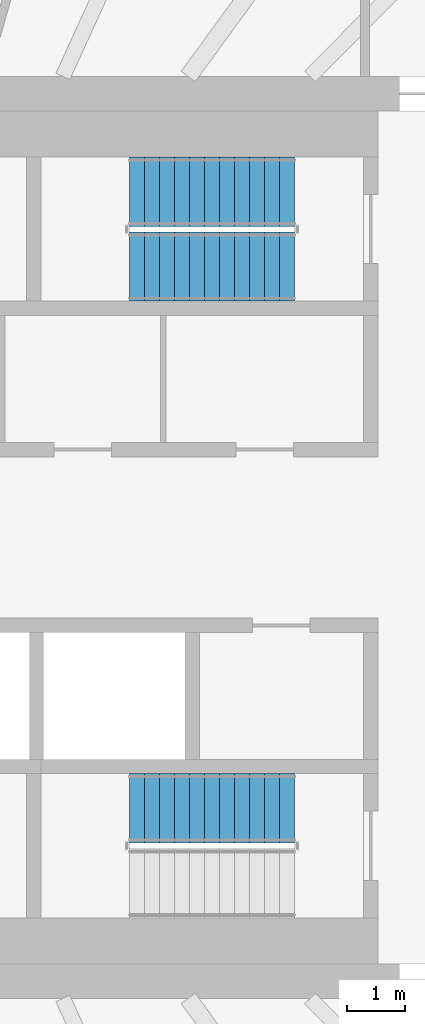
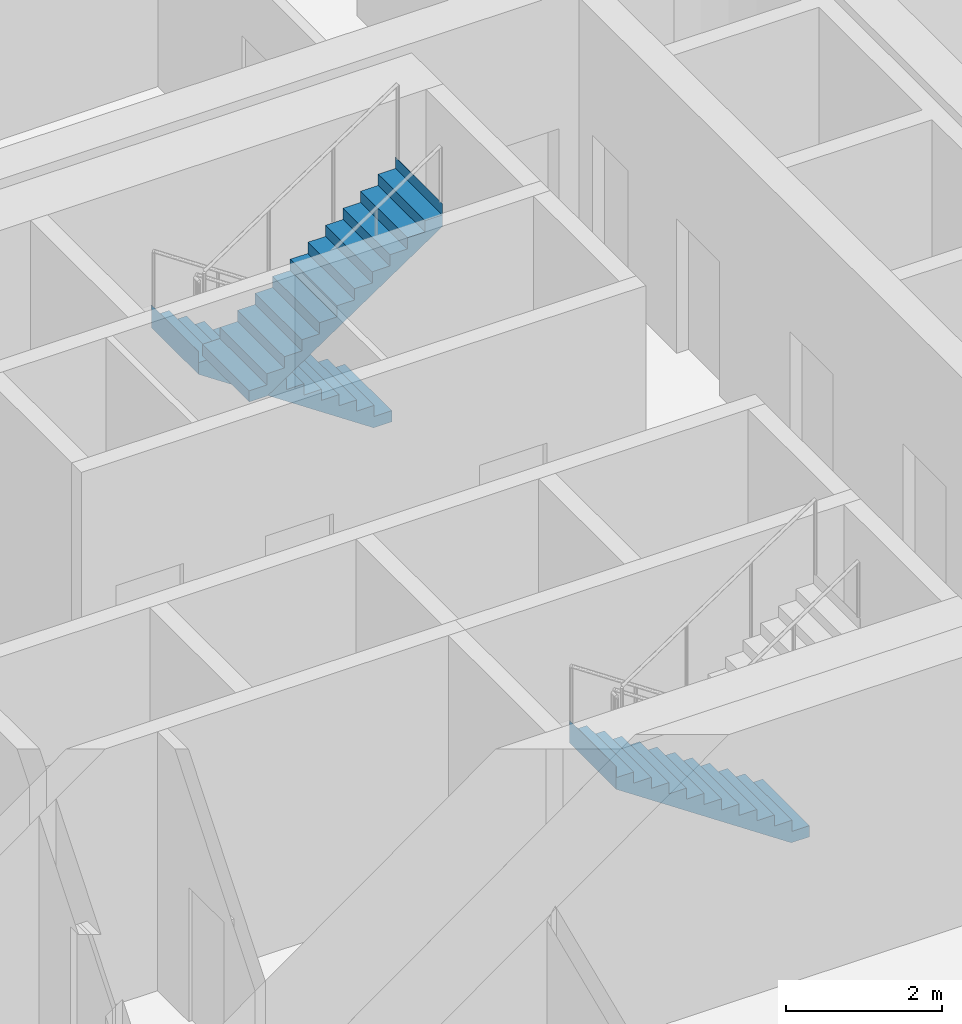
# One storey, part 17 of 23: 3 stair flights, 2 elements without a shape of their own.
"""IFC4 building model written with IfcOpenShell, lengths in metres."""

from ifc_helpers import new_model, si_unit, direction, frame, origin, place, context, subcontext, project, spatial, triangles, material, type_object, element, aggregate, save


model = new_model("IFC4")

# Units and contexts
model_context = context("Model", 3, precision=1e-05, world=origin(), true_north=direction((0.0, 1.0)))
body_context = subcontext(model_context, "Body", "Model", "MODEL_VIEW")
ifc_project = project(units=[si_unit("LENGTHUNIT", "METRE"), si_unit("AREAUNIT", "SQUARE_METRE"), si_unit("VOLUMEUNIT", "CUBIC_METRE"), si_unit("PLANEANGLEUNIT", "RADIAN"), si_unit("MASSUNIT", "GRAM", prefix="KILO")], contexts=[model_context])

# Site, building, storey
site_placement = place(None, origin())
site = spatial("IfcSite", under=ifc_project, at=site_placement, CompositionType="ELEMENT")
building_placement = place(site_placement, origin())
building = spatial("IfcBuilding", under=site, at=building_placement, Name="Sahrelin Media Tower", CompositionType="ELEMENT")
storey_placement = place(building_placement, frame((0.0, 0.0, 54.60009765625)))
storey = spatial("IfcBuildingStorey", under=building, at=storey_placement, Name="L08", CompositionType="ELEMENT", Elevation=54.60009765625)

# Stair, stair flights
ifc_material = material(Name="Concrete C40/50", Category="concrete")
stair_type = type_object("IfcStairType", Name="Exit stair 1200", PredefinedType="HALF_TURN_STAIR", material=ifc_material)
placement = place(storey_placement, origin())
stair_1 = element("IfcStair", 1, at=placement, inside=storey, type_object=stair_type, Name="L08 Exit stair ST3", PredefinedType="HALF_TURN_STAIR")
stair_flight_type = type_object("IfcStairFlightType", Name="Stair flight 1200", PredefinedType="STRAIGHT", material=ifc_material)
stair_flight_1_placement = place(storey_placement, frame((7.675048828125, 6.0, 0.0), z_axis=(0.0, 0.0, 1.0), x_axis=(-1.0, 0.0, 0.0)))
stair_flight_1 = element("IfcStairFlight", 2, at=stair_flight_1_placement, type_object=stair_flight_type, Name="ST3 flight 1", NumberOfRisers=12, NumberOfTreads=11, PredefinedType="STRAIGHT", RiserHeight=0.175, TreadLength=0.26, context=body_context, shape_type="Tessellation", body=[
    triangles([(0.2685546875, 0.60009765625, 0.0), (0.2685546875, 0.300048828125, 0.0), (0.2685546875, 0.0, 0.0), (0.2685546875, -0.300048828125, 0.0), (0.2685546875, -0.60009765625, 0.0), (2.860107421875, 0.60009765625, 1.744384765625), (2.860107421875, 0.300048828125, 1.744384765625), (2.860107421875, 0.0, 1.744384765625), (2.860107421875, -0.300048828125, 1.744384765625), (2.860107421875, -0.60009765625, 1.744384765625), (2.860107421875, 0.60009765625, 2.10009765625), (2.860107421875, 0.300048828125, 2.10009765625), (2.860107421875, 0.0, 2.10009765625), (2.860107421875, -0.300048828125, 2.10009765625), (2.860107421875, -0.60009765625, 2.10009765625), (2.85791015625, 0.60009765625, 2.10009765625), (2.85791015625, 0.300048828125, 2.10009765625), (2.85791015625, 0.0, 2.10009765625), (2.85791015625, -0.300048828125, 2.10009765625), (2.85791015625, -0.60009765625, 2.10009765625), (2.85791015625, 0.60009765625, 1.925048828125), (2.85791015625, 0.300048828125, 1.925048828125), (2.85791015625, 0.0, 1.925048828125), (2.85791015625, -0.300048828125, 1.925048828125), (2.85791015625, -0.60009765625, 1.925048828125), (2.60009765625, 0.60009765625, 1.925048828125), (2.60009765625, 0.300048828125, 1.925048828125), (2.60009765625, 0.0, 1.925048828125), (2.60009765625, -0.300048828125, 1.925048828125), (2.60009765625, -0.60009765625, 1.925048828125), (2.60009765625, 0.60009765625, 1.75), (2.60009765625, 0.300048828125, 1.75), (2.60009765625, 0.0, 1.75), (2.60009765625, -0.300048828125, 1.75), (2.60009765625, -0.60009765625, 1.75), (2.340087890625, 0.60009765625, 1.75), (2.340087890625, 0.300048828125, 1.75), (2.340087890625, 0.0, 1.75), (2.340087890625, -0.300048828125, 1.75), (2.340087890625, -0.60009765625, 1.75), (2.340087890625, 0.60009765625, 1.574951171875), (2.340087890625, 0.300048828125, 1.574951171875), (2.340087890625, 0.0, 1.574951171875), (2.340087890625, -0.300048828125, 1.574951171875), (2.340087890625, -0.60009765625, 1.574951171875), (2.080078125, 0.60009765625, 1.574951171875), (2.080078125, 0.300048828125, 1.574951171875), (2.080078125, 0.0, 1.574951171875), (2.080078125, -0.300048828125, 1.574951171875), (2.080078125, -0.60009765625, 1.574951171875), (2.080078125, 0.60009765625, 1.39990234375), (2.080078125, 0.300048828125, 1.39990234375), (2.080078125, 0.0, 1.39990234375), (2.080078125, -0.300048828125, 1.39990234375), (2.080078125, -0.60009765625, 1.39990234375), (1.820068359375, 0.60009765625, 1.39990234375), (1.820068359375, 0.300048828125, 1.39990234375), (1.820068359375, 0.0, 1.39990234375), (1.820068359375, -0.300048828125, 1.39990234375), (1.820068359375, -0.60009765625, 1.39990234375), (1.820068359375, 0.60009765625, 1.22509765625), (1.820068359375, 0.300048828125, 1.22509765625), (1.820068359375, 0.0, 1.22509765625), (1.820068359375, -0.300048828125, 1.22509765625), (1.820068359375, -0.60009765625, 1.22509765625), (1.56005859375, 0.60009765625, 1.22509765625), (1.56005859375, 0.300048828125, 1.22509765625), (1.56005859375, 0.0, 1.22509765625), (1.56005859375, -0.300048828125, 1.22509765625), (1.56005859375, -0.60009765625, 1.22509765625), (1.56005859375, 0.60009765625, 1.050048828125), (1.56005859375, 0.300048828125, 1.050048828125), (1.56005859375, 0.0, 1.050048828125), (1.56005859375, -0.300048828125, 1.050048828125), (1.56005859375, -0.60009765625, 1.050048828125), (1.300048828125, 0.60009765625, 1.050048828125), (1.300048828125, 0.300048828125, 1.050048828125), (1.300048828125, 0.0, 1.050048828125), (1.300048828125, -0.300048828125, 1.050048828125), (1.300048828125, -0.60009765625, 1.050048828125), (1.300048828125, 0.60009765625, 0.875), (1.300048828125, 0.300048828125, 0.875), (1.300048828125, 0.0, 0.875), (1.300048828125, -0.300048828125, 0.875), (1.300048828125, -0.60009765625, 0.875), (1.0400390625, 0.60009765625, 0.875), (1.0400390625, 0.300048828125, 0.875), (1.0400390625, 0.0, 0.875), (1.0400390625, -0.300048828125, 0.875), (1.0400390625, -0.60009765625, 0.875), (1.0400390625, 0.60009765625, 0.699951171875), (1.0400390625, 0.300048828125, 0.699951171875), (1.0400390625, 0.0, 0.699951171875), (1.0400390625, -0.300048828125, 0.699951171875), (1.0400390625, -0.60009765625, 0.699951171875), (0.780029296875, 0.60009765625, 0.699951171875), (0.780029296875, 0.300048828125, 0.699951171875), (0.780029296875, 0.0, 0.699951171875), (0.780029296875, -0.300048828125, 0.699951171875), (0.780029296875, -0.60009765625, 0.699951171875), (0.780029296875, 0.60009765625, 0.52490234375), (0.780029296875, 0.300048828125, 0.52490234375), (0.780029296875, 0.0, 0.52490234375), (0.780029296875, -0.300048828125, 0.52490234375), (0.780029296875, -0.60009765625, 0.52490234375), (0.52001953125, 0.60009765625, 0.52490234375), (0.52001953125, 0.300048828125, 0.52490234375), (0.52001953125, 0.0, 0.52490234375), (0.52001953125, -0.300048828125, 0.52490234375), (0.52001953125, -0.60009765625, 0.52490234375), (0.52001953125, 0.60009765625, 0.35009765625), (0.52001953125, 0.300048828125, 0.35009765625), (0.52001953125, 0.0, 0.35009765625), (0.52001953125, -0.300048828125, 0.35009765625), (0.52001953125, -0.60009765625, 0.35009765625), (0.260009765625, 0.60009765625, 0.35009765625), (0.260009765625, 0.300048828125, 0.35009765625), (0.260009765625, 0.0, 0.35009765625), (0.260009765625, -0.300048828125, 0.35009765625), (0.260009765625, -0.60009765625, 0.35009765625), (0.260009765625, 0.60009765625, 0.175048828125), (0.260009765625, 0.300048828125, 0.175048828125), (0.260009765625, 0.0, 0.175048828125), (0.260009765625, -0.300048828125, 0.175048828125), (0.260009765625, -0.60009765625, 0.175048828125), (0.0, 0.60009765625, 0.175048828125), (0.0, 0.300048828125, 0.175048828125), (0.0, 0.0, 0.175048828125), (0.0, -0.300048828125, 0.175048828125), (0.0, -0.60009765625, 0.175048828125), (0.0, 0.60009765625, 0.0), (0.0, 0.300048828125, 0.0), (0.0, 0.0, 0.0), (0.0, -0.300048828125, 0.0), (0.0, -0.60009765625, 0.0)], [[1, 6, 7], [1, 7, 2], [2, 7, 8], [2, 8, 3], [3, 8, 9], [3, 9, 4], [4, 9, 10], [4, 10, 5], [6, 11, 12], [6, 12, 7], [7, 12, 13], [7, 13, 8], [8, 13, 14], [8, 14, 9], [9, 14, 15], [9, 15, 10], [11, 16, 17], [11, 17, 12], [12, 17, 18], [12, 18, 13], [13, 18, 19], [13, 19, 14], [14, 19, 20], [14, 20, 15], [16, 21, 22], [16, 22, 17], [17, 22, 23], [17, 23, 18], [18, 23, 24], [18, 24, 19], [19, 24, 25], [19, 25, 20], [21, 26, 27], [21, 27, 22], [22, 27, 28], [22, 28, 23], [23, 28, 29], [23, 29, 24], [24, 29, 30], [24, 30, 25], [26, 31, 32], [26, 32, 27], [27, 32, 33], [27, 33, 28], [28, 33, 34], [28, 34, 29], [29, 34, 35], [29, 35, 30], [31, 36, 37], [31, 37, 32], [32, 37, 38], [32, 38, 33], [33, 38, 39], [33, 39, 34], [34, 39, 40], [34, 40, 35], [36, 41, 42], [36, 42, 37], [37, 42, 43], [37, 43, 38], [38, 43, 44], [38, 44, 39], [39, 44, 45], [39, 45, 40], [41, 46, 47], [41, 47, 42], [42, 47, 48], [42, 48, 43], [43, 48, 49], [43, 49, 44], [44, 49, 50], [44, 50, 45], [46, 51, 52], [46, 52, 47], [47, 52, 53], [47, 53, 48], [48, 53, 54], [48, 54, 49], [49, 54, 55], [49, 55, 50], [51, 56, 57], [51, 57, 52], [52, 57, 58], [52, 58, 53], [53, 58, 59], [53, 59, 54], [54, 59, 60], [54, 60, 55], [56, 61, 62], [56, 62, 57], [57, 62, 63], [57, 63, 58], [58, 63, 64], [58, 64, 59], [59, 64, 65], [59, 65, 60], [61, 66, 67], [61, 67, 62], [62, 67, 68], [62, 68, 63], [63, 68, 69], [63, 69, 64], [64, 69, 70], [64, 70, 65], [66, 71, 72], [66, 72, 67], [67, 72, 73], [67, 73, 68], [68, 73, 74], [68, 74, 69], [69, 74, 75], [69, 75, 70], [71, 76, 77], [71, 77, 72], [72, 77, 78], [72, 78, 73], [73, 78, 79], [73, 79, 74], [74, 79, 80], [74, 80, 75], [76, 81, 82], [76, 82, 77], [77, 82, 83], [77, 83, 78], [78, 83, 84], [78, 84, 79], [79, 84, 85], [79, 85, 80], [81, 86, 87], [81, 87, 82], [82, 87, 88], [82, 88, 83], [83, 88, 89], [83, 89, 84], [84, 89, 90], [84, 90, 85], [86, 91, 92], [86, 92, 87], [87, 92, 93], [87, 93, 88], [88, 93, 94], [88, 94, 89], [89, 94, 95], [89, 95, 90], [91, 96, 97], [91, 97, 92], [92, 97, 98], [92, 98, 93], [93, 98, 99], [93, 99, 94], [94, 99, 100], [94, 100, 95], [96, 101, 102], [96, 102, 97], [97, 102, 103], [97, 103, 98], [98, 103, 104], [98, 104, 99], [99, 104, 105], [99, 105, 100], [101, 106, 107], [101, 107, 102], [102, 107, 108], [102, 108, 103], [103, 108, 109], [103, 109, 104], [104, 109, 110], [104, 110, 105], [106, 111, 112], [106, 112, 107], [107, 112, 113], [107, 113, 108], [108, 113, 114], [108, 114, 109], [109, 114, 115], [109, 115, 110], [111, 116, 117], [111, 117, 112], [112, 117, 118], [112, 118, 113], [113, 118, 119], [113, 119, 114], [114, 119, 120], [114, 120, 115], [116, 121, 122], [116, 122, 117], [117, 122, 123], [117, 123, 118], [118, 123, 124], [118, 124, 119], [119, 124, 125], [119, 125, 120], [121, 126, 127], [121, 127, 122], [122, 127, 128], [122, 128, 123], [123, 128, 129], [123, 129, 124], [124, 129, 130], [124, 130, 125], [126, 131, 132], [126, 132, 127], [127, 132, 133], [127, 133, 128], [128, 133, 134], [128, 134, 129], [129, 134, 135], [129, 135, 130], [131, 1, 2], [131, 2, 132], [132, 2, 3], [132, 3, 133], [133, 3, 4], [133, 4, 134], [134, 4, 5], [134, 5, 135], [125, 130, 135], [121, 131, 126], [125, 115, 120], [121, 116, 111], [115, 105, 110], [111, 106, 101], [105, 95, 100], [101, 96, 91], [95, 85, 90], [91, 86, 81], [85, 75, 80], [81, 76, 71], [75, 65, 70], [71, 66, 61], [65, 55, 60], [61, 56, 51], [55, 45, 50], [51, 46, 41], [45, 35, 40], [41, 36, 31], [35, 25, 30], [31, 26, 21], [25, 15, 20], [21, 16, 11], [135, 5, 125], [131, 121, 1], [95, 105, 5], [91, 1, 101], [5, 10, 75], [1, 71, 6], [10, 35, 45], [6, 41, 31], [25, 10, 15], [21, 11, 6], [115, 125, 5], [111, 1, 121], [75, 85, 5], [71, 1, 81], [35, 10, 25], [31, 21, 6], [105, 115, 5], [101, 1, 111], [45, 55, 10], [41, 6, 51], [85, 95, 5], [81, 1, 91], [65, 10, 55], [61, 51, 6], [10, 65, 75], [6, 71, 61]], closed=True),
])
stair_flight_2_placement = place(storey_placement, frame((4.81494140625, 4.699951171875, 2.099853515625), z_axis=(0.0, 0.0, 1.0), x_axis=(1.0, 0.0, 0.0)))
stair_flight_2 = element("IfcStairFlight", 3, at=stair_flight_2_placement, type_object=stair_flight_type, Name="ST3 flight 2", NumberOfRisers=12, NumberOfTreads=11, PredefinedType="STRAIGHT", RiserHeight=0.175, TreadLength=0.26, context=body_context, shape_type="Tessellation", body=[
    triangles([(0.2685546875, 0.60009765625, 0.0), (0.2685546875, 0.300048828125, 0.0), (0.2685546875, 0.0, 0.0), (0.2685546875, -0.300048828125, 0.0), (0.2685546875, -0.60009765625, 0.0), (2.860107421875, 0.60009765625, 1.744384765625), (2.860107421875, 0.300048828125, 1.744384765625), (2.860107421875, 0.0, 1.744384765625), (2.860107421875, -0.300048828125, 1.744384765625), (2.860107421875, -0.60009765625, 1.744384765625), (2.860107421875, 0.60009765625, 2.10009765625), (2.860107421875, 0.300048828125, 2.10009765625), (2.860107421875, 0.0, 2.10009765625), (2.860107421875, -0.300048828125, 2.10009765625), (2.860107421875, -0.60009765625, 2.10009765625), (2.85791015625, 0.60009765625, 2.10009765625), (2.85791015625, 0.300048828125, 2.10009765625), (2.85791015625, 0.0, 2.10009765625), (2.85791015625, -0.300048828125, 2.10009765625), (2.85791015625, -0.60009765625, 2.10009765625), (2.85791015625, 0.60009765625, 1.925048828125), (2.85791015625, 0.300048828125, 1.925048828125), (2.85791015625, 0.0, 1.925048828125), (2.85791015625, -0.300048828125, 1.925048828125), (2.85791015625, -0.60009765625, 1.925048828125), (2.60009765625, 0.60009765625, 1.925048828125), (2.60009765625, 0.300048828125, 1.925048828125), (2.60009765625, 0.0, 1.925048828125), (2.60009765625, -0.300048828125, 1.925048828125), (2.60009765625, -0.60009765625, 1.925048828125), (2.60009765625, 0.60009765625, 1.75), (2.60009765625, 0.300048828125, 1.75), (2.60009765625, 0.0, 1.75), (2.60009765625, -0.300048828125, 1.75), (2.60009765625, -0.60009765625, 1.75), (2.340087890625, 0.60009765625, 1.75), (2.340087890625, 0.300048828125, 1.75), (2.340087890625, 0.0, 1.75), (2.340087890625, -0.300048828125, 1.75), (2.340087890625, -0.60009765625, 1.75), (2.340087890625, 0.60009765625, 1.574951171875), (2.340087890625, 0.300048828125, 1.574951171875), (2.340087890625, 0.0, 1.574951171875), (2.340087890625, -0.300048828125, 1.574951171875), (2.340087890625, -0.60009765625, 1.574951171875), (2.080078125, 0.60009765625, 1.574951171875), (2.080078125, 0.300048828125, 1.574951171875), (2.080078125, 0.0, 1.574951171875), (2.080078125, -0.300048828125, 1.574951171875), (2.080078125, -0.60009765625, 1.574951171875), (2.080078125, 0.60009765625, 1.39990234375), (2.080078125, 0.300048828125, 1.39990234375), (2.080078125, 0.0, 1.39990234375), (2.080078125, -0.300048828125, 1.39990234375), (2.080078125, -0.60009765625, 1.39990234375), (1.820068359375, 0.60009765625, 1.39990234375), (1.820068359375, 0.300048828125, 1.39990234375), (1.820068359375, 0.0, 1.39990234375), (1.820068359375, -0.300048828125, 1.39990234375), (1.820068359375, -0.60009765625, 1.39990234375), (1.820068359375, 0.60009765625, 1.22509765625), (1.820068359375, 0.300048828125, 1.22509765625), (1.820068359375, 0.0, 1.22509765625), (1.820068359375, -0.300048828125, 1.22509765625), (1.820068359375, -0.60009765625, 1.22509765625), (1.56005859375, 0.60009765625, 1.22509765625), (1.56005859375, 0.300048828125, 1.22509765625), (1.56005859375, 0.0, 1.22509765625), (1.56005859375, -0.300048828125, 1.22509765625), (1.56005859375, -0.60009765625, 1.22509765625), (1.56005859375, 0.60009765625, 1.050048828125), (1.56005859375, 0.300048828125, 1.050048828125), (1.56005859375, 0.0, 1.050048828125), (1.56005859375, -0.300048828125, 1.050048828125), (1.56005859375, -0.60009765625, 1.050048828125), (1.300048828125, 0.60009765625, 1.050048828125), (1.300048828125, 0.300048828125, 1.050048828125), (1.300048828125, 0.0, 1.050048828125), (1.300048828125, -0.300048828125, 1.050048828125), (1.300048828125, -0.60009765625, 1.050048828125), (1.300048828125, 0.60009765625, 0.875), (1.300048828125, 0.300048828125, 0.875), (1.300048828125, 0.0, 0.875), (1.300048828125, -0.300048828125, 0.875), (1.300048828125, -0.60009765625, 0.875), (1.0400390625, 0.60009765625, 0.875), (1.0400390625, 0.300048828125, 0.875), (1.0400390625, 0.0, 0.875), (1.0400390625, -0.300048828125, 0.875), (1.0400390625, -0.60009765625, 0.875), (1.0400390625, 0.60009765625, 0.699951171875), (1.0400390625, 0.300048828125, 0.699951171875), (1.0400390625, 0.0, 0.699951171875), (1.0400390625, -0.300048828125, 0.699951171875), (1.0400390625, -0.60009765625, 0.699951171875), (0.780029296875, 0.60009765625, 0.699951171875), (0.780029296875, 0.300048828125, 0.699951171875), (0.780029296875, 0.0, 0.699951171875), (0.780029296875, -0.300048828125, 0.699951171875), (0.780029296875, -0.60009765625, 0.699951171875), (0.780029296875, 0.60009765625, 0.52490234375), (0.780029296875, 0.300048828125, 0.52490234375), (0.780029296875, 0.0, 0.52490234375), (0.780029296875, -0.300048828125, 0.52490234375), (0.780029296875, -0.60009765625, 0.52490234375), (0.52001953125, 0.60009765625, 0.52490234375), (0.52001953125, 0.300048828125, 0.52490234375), (0.52001953125, 0.0, 0.52490234375), (0.52001953125, -0.300048828125, 0.52490234375), (0.52001953125, -0.60009765625, 0.52490234375), (0.52001953125, 0.60009765625, 0.35009765625), (0.52001953125, 0.300048828125, 0.35009765625), (0.52001953125, 0.0, 0.35009765625), (0.52001953125, -0.300048828125, 0.35009765625), (0.52001953125, -0.60009765625, 0.35009765625), (0.260009765625, 0.60009765625, 0.35009765625), (0.260009765625, 0.300048828125, 0.35009765625), (0.260009765625, 0.0, 0.35009765625), (0.260009765625, -0.300048828125, 0.35009765625), (0.260009765625, -0.60009765625, 0.35009765625), (0.260009765625, 0.60009765625, 0.175048828125), (0.260009765625, 0.300048828125, 0.175048828125), (0.260009765625, 0.0, 0.175048828125), (0.260009765625, -0.300048828125, 0.175048828125), (0.260009765625, -0.60009765625, 0.175048828125), (0.0, 0.60009765625, 0.175048828125), (0.0, 0.300048828125, 0.175048828125), (0.0, 0.0, 0.175048828125), (0.0, -0.300048828125, 0.175048828125), (0.0, -0.60009765625, 0.175048828125), (0.0, 0.60009765625, 0.0), (0.0, 0.300048828125, 0.0), (0.0, 0.0, 0.0), (0.0, -0.300048828125, 0.0), (0.0, -0.60009765625, 0.0)], [[1, 6, 7], [1, 7, 2], [2, 7, 8], [2, 8, 3], [3, 8, 9], [3, 9, 4], [4, 9, 10], [4, 10, 5], [6, 11, 12], [6, 12, 7], [7, 12, 13], [7, 13, 8], [8, 13, 14], [8, 14, 9], [9, 14, 15], [9, 15, 10], [11, 16, 17], [11, 17, 12], [12, 17, 18], [12, 18, 13], [13, 18, 19], [13, 19, 14], [14, 19, 20], [14, 20, 15], [16, 21, 22], [16, 22, 17], [17, 22, 23], [17, 23, 18], [18, 23, 24], [18, 24, 19], [19, 24, 25], [19, 25, 20], [21, 26, 27], [21, 27, 22], [22, 27, 28], [22, 28, 23], [23, 28, 29], [23, 29, 24], [24, 29, 30], [24, 30, 25], [26, 31, 32], [26, 32, 27], [27, 32, 33], [27, 33, 28], [28, 33, 34], [28, 34, 29], [29, 34, 35], [29, 35, 30], [31, 36, 37], [31, 37, 32], [32, 37, 38], [32, 38, 33], [33, 38, 39], [33, 39, 34], [34, 39, 40], [34, 40, 35], [36, 41, 42], [36, 42, 37], [37, 42, 43], [37, 43, 38], [38, 43, 44], [38, 44, 39], [39, 44, 45], [39, 45, 40], [41, 46, 47], [41, 47, 42], [42, 47, 48], [42, 48, 43], [43, 48, 49], [43, 49, 44], [44, 49, 50], [44, 50, 45], [46, 51, 52], [46, 52, 47], [47, 52, 53], [47, 53, 48], [48, 53, 54], [48, 54, 49], [49, 54, 55], [49, 55, 50], [51, 56, 57], [51, 57, 52], [52, 57, 58], [52, 58, 53], [53, 58, 59], [53, 59, 54], [54, 59, 60], [54, 60, 55], [56, 61, 62], [56, 62, 57], [57, 62, 63], [57, 63, 58], [58, 63, 64], [58, 64, 59], [59, 64, 65], [59, 65, 60], [61, 66, 67], [61, 67, 62], [62, 67, 68], [62, 68, 63], [63, 68, 69], [63, 69, 64], [64, 69, 70], [64, 70, 65], [66, 71, 72], [66, 72, 67], [67, 72, 73], [67, 73, 68], [68, 73, 74], [68, 74, 69], [69, 74, 75], [69, 75, 70], [71, 76, 77], [71, 77, 72], [72, 77, 78], [72, 78, 73], [73, 78, 79], [73, 79, 74], [74, 79, 80], [74, 80, 75], [76, 81, 82], [76, 82, 77], [77, 82, 83], [77, 83, 78], [78, 83, 84], [78, 84, 79], [79, 84, 85], [79, 85, 80], [81, 86, 87], [81, 87, 82], [82, 87, 88], [82, 88, 83], [83, 88, 89], [83, 89, 84], [84, 89, 90], [84, 90, 85], [86, 91, 92], [86, 92, 87], [87, 92, 93], [87, 93, 88], [88, 93, 94], [88, 94, 89], [89, 94, 95], [89, 95, 90], [91, 96, 97], [91, 97, 92], [92, 97, 98], [92, 98, 93], [93, 98, 99], [93, 99, 94], [94, 99, 100], [94, 100, 95], [96, 101, 102], [96, 102, 97], [97, 102, 103], [97, 103, 98], [98, 103, 104], [98, 104, 99], [99, 104, 105], [99, 105, 100], [101, 106, 107], [101, 107, 102], [102, 107, 108], [102, 108, 103], [103, 108, 109], [103, 109, 104], [104, 109, 110], [104, 110, 105], [106, 111, 112], [106, 112, 107], [107, 112, 113], [107, 113, 108], [108, 113, 114], [108, 114, 109], [109, 114, 115], [109, 115, 110], [111, 116, 117], [111, 117, 112], [112, 117, 118], [112, 118, 113], [113, 118, 119], [113, 119, 114], [114, 119, 120], [114, 120, 115], [116, 121, 122], [116, 122, 117], [117, 122, 123], [117, 123, 118], [118, 123, 124], [118, 124, 119], [119, 124, 125], [119, 125, 120], [121, 126, 127], [121, 127, 122], [122, 127, 128], [122, 128, 123], [123, 128, 129], [123, 129, 124], [124, 129, 130], [124, 130, 125], [126, 131, 132], [126, 132, 127], [127, 132, 133], [127, 133, 128], [128, 133, 134], [128, 134, 129], [129, 134, 135], [129, 135, 130], [131, 1, 2], [131, 2, 132], [132, 2, 3], [132, 3, 133], [133, 3, 4], [133, 4, 134], [134, 4, 5], [134, 5, 135], [125, 130, 135], [121, 131, 126], [125, 115, 120], [121, 116, 111], [115, 105, 110], [111, 106, 101], [105, 95, 100], [101, 96, 91], [95, 85, 90], [91, 86, 81], [85, 75, 80], [81, 76, 71], [75, 65, 70], [71, 66, 61], [65, 55, 60], [61, 56, 51], [55, 45, 50], [51, 46, 41], [45, 35, 40], [41, 36, 31], [35, 25, 30], [31, 26, 21], [25, 15, 20], [21, 16, 11], [135, 5, 125], [131, 121, 1], [95, 105, 5], [91, 1, 101], [5, 10, 75], [1, 71, 6], [10, 35, 45], [6, 41, 31], [25, 10, 15], [21, 11, 6], [115, 125, 5], [111, 1, 121], [75, 85, 5], [71, 1, 81], [35, 10, 25], [31, 21, 6], [105, 115, 5], [101, 1, 111], [45, 55, 10], [41, 6, 51], [85, 95, 5], [81, 1, 91], [65, 10, 55], [61, 51, 6], [10, 65, 75], [6, 71, 61]], closed=True),
])
aggregate(stair_1, [stair_flight_1, stair_flight_2])

# Stair, stair flight
stair_2 = element("IfcStair", 4, at=placement, inside=storey, type_object=stair_type, Name="L08 Exit stair ST2", PredefinedType="HALF_TURN_STAIR")
stair_flight_3_placement = place(storey_placement, frame((7.675048828125, -4.699951171875, 0.0), z_axis=(0.0, 0.0, 1.0), x_axis=(-1.0, 0.0, 0.0)))
stair_flight_3 = element("IfcStairFlight", 5, at=stair_flight_3_placement, type_object=stair_flight_type, Name="ST2 flight 1", NumberOfRisers=12, NumberOfTreads=11, PredefinedType="STRAIGHT", RiserHeight=0.175, TreadLength=0.26, context=body_context, shape_type="Tessellation", body=[
    triangles([(0.2685546875, 0.60009765625, 0.0), (0.2685546875, 0.300048828125, 0.0), (0.2685546875, 0.0, 0.0), (0.2685546875, -0.300048828125, 0.0), (0.2685546875, -0.60009765625, 0.0), (2.860107421875, 0.60009765625, 1.744384765625), (2.860107421875, 0.300048828125, 1.744384765625), (2.860107421875, 0.0, 1.744384765625), (2.860107421875, -0.300048828125, 1.744384765625), (2.860107421875, -0.60009765625, 1.744384765625), (2.860107421875, 0.60009765625, 2.10009765625), (2.860107421875, 0.300048828125, 2.10009765625), (2.860107421875, 0.0, 2.10009765625), (2.860107421875, -0.300048828125, 2.10009765625), (2.860107421875, -0.60009765625, 2.10009765625), (2.85791015625, 0.60009765625, 2.10009765625), (2.85791015625, 0.300048828125, 2.10009765625), (2.85791015625, 0.0, 2.10009765625), (2.85791015625, -0.300048828125, 2.10009765625), (2.85791015625, -0.60009765625, 2.10009765625), (2.85791015625, 0.60009765625, 1.925048828125), (2.85791015625, 0.300048828125, 1.925048828125), (2.85791015625, 0.0, 1.925048828125), (2.85791015625, -0.300048828125, 1.925048828125), (2.85791015625, -0.60009765625, 1.925048828125), (2.60009765625, 0.60009765625, 1.925048828125), (2.60009765625, 0.300048828125, 1.925048828125), (2.60009765625, 0.0, 1.925048828125), (2.60009765625, -0.300048828125, 1.925048828125), (2.60009765625, -0.60009765625, 1.925048828125), (2.60009765625, 0.60009765625, 1.75), (2.60009765625, 0.300048828125, 1.75), (2.60009765625, 0.0, 1.75), (2.60009765625, -0.300048828125, 1.75), (2.60009765625, -0.60009765625, 1.75), (2.340087890625, 0.60009765625, 1.75), (2.340087890625, 0.300048828125, 1.75), (2.340087890625, 0.0, 1.75), (2.340087890625, -0.300048828125, 1.75), (2.340087890625, -0.60009765625, 1.75), (2.340087890625, 0.60009765625, 1.574951171875), (2.340087890625, 0.300048828125, 1.574951171875), (2.340087890625, 0.0, 1.574951171875), (2.340087890625, -0.300048828125, 1.574951171875), (2.340087890625, -0.60009765625, 1.574951171875), (2.080078125, 0.60009765625, 1.574951171875), (2.080078125, 0.300048828125, 1.574951171875), (2.080078125, 0.0, 1.574951171875), (2.080078125, -0.300048828125, 1.574951171875), (2.080078125, -0.60009765625, 1.574951171875), (2.080078125, 0.60009765625, 1.39990234375), (2.080078125, 0.300048828125, 1.39990234375), (2.080078125, 0.0, 1.39990234375), (2.080078125, -0.300048828125, 1.39990234375), (2.080078125, -0.60009765625, 1.39990234375), (1.820068359375, 0.60009765625, 1.39990234375), (1.820068359375, 0.300048828125, 1.39990234375), (1.820068359375, 0.0, 1.39990234375), (1.820068359375, -0.300048828125, 1.39990234375), (1.820068359375, -0.60009765625, 1.39990234375), (1.820068359375, 0.60009765625, 1.22509765625), (1.820068359375, 0.300048828125, 1.22509765625), (1.820068359375, 0.0, 1.22509765625), (1.820068359375, -0.300048828125, 1.22509765625), (1.820068359375, -0.60009765625, 1.22509765625), (1.56005859375, 0.60009765625, 1.22509765625), (1.56005859375, 0.300048828125, 1.22509765625), (1.56005859375, 0.0, 1.22509765625), (1.56005859375, -0.300048828125, 1.22509765625), (1.56005859375, -0.60009765625, 1.22509765625), (1.56005859375, 0.60009765625, 1.050048828125), (1.56005859375, 0.300048828125, 1.050048828125), (1.56005859375, 0.0, 1.050048828125), (1.56005859375, -0.300048828125, 1.050048828125), (1.56005859375, -0.60009765625, 1.050048828125), (1.300048828125, 0.60009765625, 1.050048828125), (1.300048828125, 0.300048828125, 1.050048828125), (1.300048828125, 0.0, 1.050048828125), (1.300048828125, -0.300048828125, 1.050048828125), (1.300048828125, -0.60009765625, 1.050048828125), (1.300048828125, 0.60009765625, 0.875), (1.300048828125, 0.300048828125, 0.875), (1.300048828125, 0.0, 0.875), (1.300048828125, -0.300048828125, 0.875), (1.300048828125, -0.60009765625, 0.875), (1.0400390625, 0.60009765625, 0.875), (1.0400390625, 0.300048828125, 0.875), (1.0400390625, 0.0, 0.875), (1.0400390625, -0.300048828125, 0.875), (1.0400390625, -0.60009765625, 0.875), (1.0400390625, 0.60009765625, 0.699951171875), (1.0400390625, 0.300048828125, 0.699951171875), (1.0400390625, 0.0, 0.699951171875), (1.0400390625, -0.300048828125, 0.699951171875), (1.0400390625, -0.60009765625, 0.699951171875), (0.780029296875, 0.60009765625, 0.699951171875), (0.780029296875, 0.300048828125, 0.699951171875), (0.780029296875, 0.0, 0.699951171875), (0.780029296875, -0.300048828125, 0.699951171875), (0.780029296875, -0.60009765625, 0.699951171875), (0.780029296875, 0.60009765625, 0.52490234375), (0.780029296875, 0.300048828125, 0.52490234375), (0.780029296875, 0.0, 0.52490234375), (0.780029296875, -0.300048828125, 0.52490234375), (0.780029296875, -0.60009765625, 0.52490234375), (0.52001953125, 0.60009765625, 0.52490234375), (0.52001953125, 0.300048828125, 0.52490234375), (0.52001953125, 0.0, 0.52490234375), (0.52001953125, -0.300048828125, 0.52490234375), (0.52001953125, -0.60009765625, 0.52490234375), (0.52001953125, 0.60009765625, 0.35009765625), (0.52001953125, 0.300048828125, 0.35009765625), (0.52001953125, 0.0, 0.35009765625), (0.52001953125, -0.300048828125, 0.35009765625), (0.52001953125, -0.60009765625, 0.35009765625), (0.260009765625, 0.60009765625, 0.35009765625), (0.260009765625, 0.300048828125, 0.35009765625), (0.260009765625, 0.0, 0.35009765625), (0.260009765625, -0.300048828125, 0.35009765625), (0.260009765625, -0.60009765625, 0.35009765625), (0.260009765625, 0.60009765625, 0.175048828125), (0.260009765625, 0.300048828125, 0.175048828125), (0.260009765625, 0.0, 0.175048828125), (0.260009765625, -0.300048828125, 0.175048828125), (0.260009765625, -0.60009765625, 0.175048828125), (0.0, 0.60009765625, 0.175048828125), (0.0, 0.300048828125, 0.175048828125), (0.0, 0.0, 0.175048828125), (0.0, -0.300048828125, 0.175048828125), (0.0, -0.60009765625, 0.175048828125), (0.0, 0.60009765625, 0.0), (0.0, 0.300048828125, 0.0), (0.0, 0.0, 0.0), (0.0, -0.300048828125, 0.0), (0.0, -0.60009765625, 0.0)], [[1, 6, 7], [1, 7, 2], [2, 7, 8], [2, 8, 3], [3, 8, 9], [3, 9, 4], [4, 9, 10], [4, 10, 5], [6, 11, 12], [6, 12, 7], [7, 12, 13], [7, 13, 8], [8, 13, 14], [8, 14, 9], [9, 14, 15], [9, 15, 10], [11, 16, 17], [11, 17, 12], [12, 17, 18], [12, 18, 13], [13, 18, 19], [13, 19, 14], [14, 19, 20], [14, 20, 15], [16, 21, 22], [16, 22, 17], [17, 22, 23], [17, 23, 18], [18, 23, 24], [18, 24, 19], [19, 24, 25], [19, 25, 20], [21, 26, 27], [21, 27, 22], [22, 27, 28], [22, 28, 23], [23, 28, 29], [23, 29, 24], [24, 29, 30], [24, 30, 25], [26, 31, 32], [26, 32, 27], [27, 32, 33], [27, 33, 28], [28, 33, 34], [28, 34, 29], [29, 34, 35], [29, 35, 30], [31, 36, 37], [31, 37, 32], [32, 37, 38], [32, 38, 33], [33, 38, 39], [33, 39, 34], [34, 39, 40], [34, 40, 35], [36, 41, 42], [36, 42, 37], [37, 42, 43], [37, 43, 38], [38, 43, 44], [38, 44, 39], [39, 44, 45], [39, 45, 40], [41, 46, 47], [41, 47, 42], [42, 47, 48], [42, 48, 43], [43, 48, 49], [43, 49, 44], [44, 49, 50], [44, 50, 45], [46, 51, 52], [46, 52, 47], [47, 52, 53], [47, 53, 48], [48, 53, 54], [48, 54, 49], [49, 54, 55], [49, 55, 50], [51, 56, 57], [51, 57, 52], [52, 57, 58], [52, 58, 53], [53, 58, 59], [53, 59, 54], [54, 59, 60], [54, 60, 55], [56, 61, 62], [56, 62, 57], [57, 62, 63], [57, 63, 58], [58, 63, 64], [58, 64, 59], [59, 64, 65], [59, 65, 60], [61, 66, 67], [61, 67, 62], [62, 67, 68], [62, 68, 63], [63, 68, 69], [63, 69, 64], [64, 69, 70], [64, 70, 65], [66, 71, 72], [66, 72, 67], [67, 72, 73], [67, 73, 68], [68, 73, 74], [68, 74, 69], [69, 74, 75], [69, 75, 70], [71, 76, 77], [71, 77, 72], [72, 77, 78], [72, 78, 73], [73, 78, 79], [73, 79, 74], [74, 79, 80], [74, 80, 75], [76, 81, 82], [76, 82, 77], [77, 82, 83], [77, 83, 78], [78, 83, 84], [78, 84, 79], [79, 84, 85], [79, 85, 80], [81, 86, 87], [81, 87, 82], [82, 87, 88], [82, 88, 83], [83, 88, 89], [83, 89, 84], [84, 89, 90], [84, 90, 85], [86, 91, 92], [86, 92, 87], [87, 92, 93], [87, 93, 88], [88, 93, 94], [88, 94, 89], [89, 94, 95], [89, 95, 90], [91, 96, 97], [91, 97, 92], [92, 97, 98], [92, 98, 93], [93, 98, 99], [93, 99, 94], [94, 99, 100], [94, 100, 95], [96, 101, 102], [96, 102, 97], [97, 102, 103], [97, 103, 98], [98, 103, 104], [98, 104, 99], [99, 104, 105], [99, 105, 100], [101, 106, 107], [101, 107, 102], [102, 107, 108], [102, 108, 103], [103, 108, 109], [103, 109, 104], [104, 109, 110], [104, 110, 105], [106, 111, 112], [106, 112, 107], [107, 112, 113], [107, 113, 108], [108, 113, 114], [108, 114, 109], [109, 114, 115], [109, 115, 110], [111, 116, 117], [111, 117, 112], [112, 117, 118], [112, 118, 113], [113, 118, 119], [113, 119, 114], [114, 119, 120], [114, 120, 115], [116, 121, 122], [116, 122, 117], [117, 122, 123], [117, 123, 118], [118, 123, 124], [118, 124, 119], [119, 124, 125], [119, 125, 120], [121, 126, 127], [121, 127, 122], [122, 127, 128], [122, 128, 123], [123, 128, 129], [123, 129, 124], [124, 129, 130], [124, 130, 125], [126, 131, 132], [126, 132, 127], [127, 132, 133], [127, 133, 128], [128, 133, 134], [128, 134, 129], [129, 134, 135], [129, 135, 130], [131, 1, 2], [131, 2, 132], [132, 2, 3], [132, 3, 133], [133, 3, 4], [133, 4, 134], [134, 4, 5], [134, 5, 135], [125, 130, 135], [121, 131, 126], [125, 115, 120], [121, 116, 111], [115, 105, 110], [111, 106, 101], [105, 95, 100], [101, 96, 91], [95, 85, 90], [91, 86, 81], [85, 75, 80], [81, 76, 71], [75, 65, 70], [71, 66, 61], [65, 55, 60], [61, 56, 51], [55, 45, 50], [51, 46, 41], [45, 35, 40], [41, 36, 31], [35, 25, 30], [31, 26, 21], [25, 15, 20], [21, 16, 11], [135, 5, 125], [131, 121, 1], [95, 105, 5], [91, 1, 101], [5, 10, 75], [1, 71, 6], [10, 35, 45], [6, 41, 31], [25, 10, 15], [21, 11, 6], [115, 125, 5], [111, 1, 121], [75, 85, 5], [71, 1, 81], [35, 10, 25], [31, 21, 6], [105, 115, 5], [101, 1, 111], [45, 55, 10], [41, 6, 51], [85, 95, 5], [81, 1, 91], [65, 10, 55], [61, 51, 6], [10, 65, 75], [6, 71, 61]], closed=True),
])
aggregate(stair_2, [stair_flight_3])

save(model, "model.ifc")
